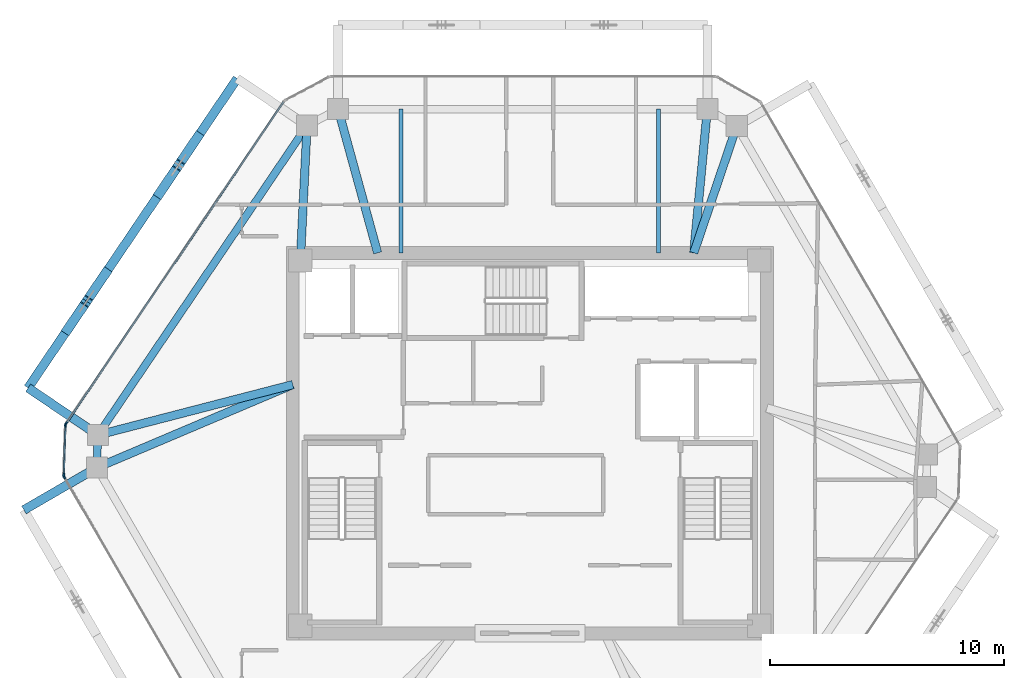
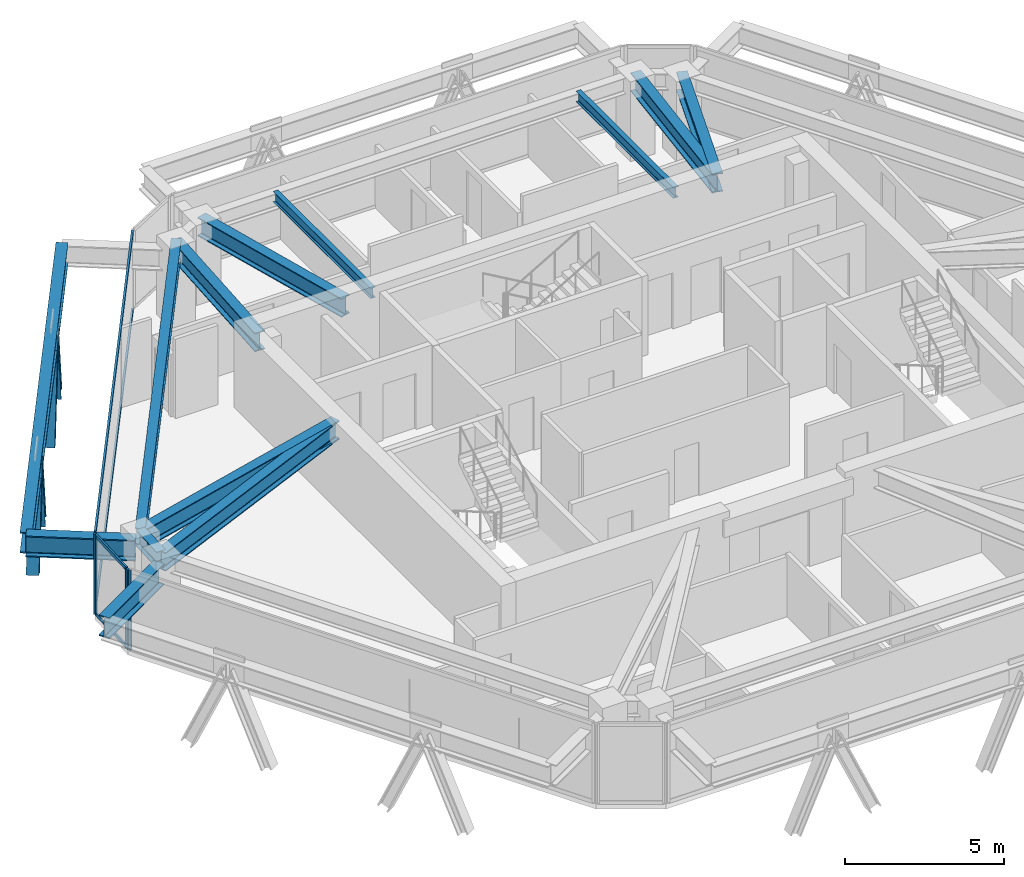
# One storey, part 4 of 13: 13 beams, 12 members, 3 elements without a shape of their own.
"""IFC4 building model written with IfcOpenShell, lengths in metres."""

from ifc_helpers import new_model, si_unit, direction, frame, origin, origin_2d, place, context, subcontext, project, spatial, rectangle, i_section, extrude, source, transform, mapped, material, layer, layer_set, material_profile, profile_set, type_object, type_shapes, element, aggregate, save


model = new_model("IFC4")

# Units and contexts
model_context = context("Model", 3, precision=1e-05, world=origin(), true_north=direction((0.0, 1.0)))
body_context = subcontext(model_context, "Body", "Model", "MODEL_VIEW")
ifc_project = project(units=[si_unit("LENGTHUNIT", "METRE"), si_unit("AREAUNIT", "SQUARE_METRE"), si_unit("VOLUMEUNIT", "CUBIC_METRE"), si_unit("PLANEANGLEUNIT", "RADIAN"), si_unit("MASSUNIT", "GRAM", prefix="KILO")], contexts=[model_context])

# Site, building, storey
site_placement = place(None, origin())
site = spatial("IfcSite", under=ifc_project, at=site_placement, CompositionType="ELEMENT")
building_placement = place(site_placement, origin())
building = spatial("IfcBuilding", under=site, at=building_placement, Name="Durnholm Broadcast Tower", CompositionType="ELEMENT")
storey_placement = place(building_placement, frame((0.0, 0.0, 241.39990234375)))
storey = spatial("IfcBuildingStorey", under=building, at=storey_placement, Name="L67", CompositionType="ELEMENT", Elevation=241.39990234375)

# Beams
ifc_material_1 = material(Name="Steel ASTM A992 Grade 50", Category="steel")
ifc_material_profile_1 = material_profile(ifc_material_1, i_section(OverallWidth=0.385009765625, OverallDepth=0.802978515625, WebThickness=0.023681640625, FlangeThickness=0.0419921875, FilletRadius=0.032958984375, at=origin_2d()), Name="W30X261")
ifc_profile_set_1 = profile_set([ifc_material_profile_1], Name="Steel ASTM A992 Grade 50")
beam_type_1 = type_object("IfcBeamType", Name="BM-EXO-TIE", PredefinedType="USERDEFINED", material=ifc_profile_set_1)
shared_shape_1 = source(origin(), body_context, "Body", "SweptSolid", [
    extrude(i_section(OverallWidth=0.385009765625, OverallDepth=0.802978515625, WebThickness=0.023681640625, FlangeThickness=0.0419921875, FilletRadius=0.032958984375, at=origin_2d()), origin(), (0.0, 0.0, 1.0), 3.4560546875),
])
for number, where, z_axis, x_axis, name in (
    (1, (-18.565673828125, 0.426513671875, 2.30859375), (-0.828413564093, 0.56011692246, 0.0), (-0.56011692246, -0.828413564093, 0.0), "L67 exoskeleton stand-off tie bracket F5.2"),
    (2, (-18.618896484375, -1.1201171875, 2.30859375), (-0.864876013532, -0.501985538852, 0.0), (0.501985538852, -0.864876013532, 0.0), "L67 exoskeleton stand-off tie bracket F6.1"),
):
    element("IfcBeam", number, at=place(storey_placement, frame(where, z_axis=z_axis, x_axis=x_axis)), inside=storey, type_object=beam_type_1, Name=name, ObjectType="GIRDER", PredefinedType="USERDEFINED", context=body_context, shape_type="MappedRepresentation", body=[
        mapped(shared_shape_1, transform((0.0, 0.0, 0.0), x_axis=(1.0, 0.0, 0.0), y_axis=(0.0, 1.0, 0.0), z_axis=(0.0, 0.0, 1.0), scale=1.0)),
    ])
ifc_material_profile_2 = material_profile(ifc_material_1, i_section(OverallWidth=0.3251953125, OverallDepth=0.6162109375, WebThickness=0.013916015625, FlangeThickness=0.021484375, FilletRadius=0.02783203125, at=origin_2d()), Name="W24X117")
ifc_profile_set_2 = profile_set([ifc_material_profile_2], Name="Steel ASTM A992 Grade 50")
beam_type_2 = type_object("IfcBeamType", Name="STL-SP-W24X117", PredefinedType="SPANDREL", material=ifc_profile_set_2)
shared_shape_2 = source(origin(), body_context, "Body", "SweptSolid", [
    extrude(i_section(OverallWidth=0.3251953125, OverallDepth=0.6162109375, WebThickness=0.013916015625, FlangeThickness=0.021484375, FilletRadius=0.02783203125, at=origin_2d()), origin(), (0.0, 0.0, 1.0), 1.39453125),
])
beam_1_placement = place(storey_placement, frame((-18.494384765625, -1.0478515625, 2.737060546875), z_axis=(0.034486393061, 0.999405167434, 0.0), x_axis=(-0.999405167434, 0.034486393061, 0.0)))
element("IfcBeam", 3, at=beam_1_placement, inside=storey, type_object=beam_type_2, Name="L67 perimeter spandrel girder 02", PredefinedType="SPANDREL", context=body_context, shape_type="MappedRepresentation", body=[
    mapped(shared_shape_2, transform((0.0, 0.0, 0.0), x_axis=(1.0, 0.0, 0.0), y_axis=(0.0, 1.0, 0.0), z_axis=(0.0, 0.0, 1.0), scale=1.0)),
])
shared_shape_3 = source(origin(), body_context, "Body", "SweptSolid", [
    extrude(i_section(OverallWidth=0.3251953125, OverallDepth=0.6162109375, WebThickness=0.013916015625, FlangeThickness=0.021484375, FilletRadius=0.02783203125, at=origin_2d()), origin(), (0.0, 0.0, 1.0), 15.947265625),
])
type_shapes(beam_type_2, [shared_shape_2, shared_shape_3])
beam_2_placement = place(storey_placement, frame((-18.4462890625, 0.345947265625, 2.737060546875), z_axis=(0.560062212489, 0.828450552623, 0.0), x_axis=(-0.828450552623, 0.560062212489, 0.0)))
element("IfcBeam", 4, at=beam_2_placement, inside=storey, type_object=beam_type_2, Name="L67 perimeter spandrel girder 03", PredefinedType="SPANDREL", context=body_context, shape_type="MappedRepresentation", body=[
    mapped(shared_shape_3, transform((0.0, 0.0, 0.0), x_axis=(1.0, 0.0, 0.0), y_axis=(0.0, 1.0, 0.0), z_axis=(0.0, 0.0, 1.0), scale=1.0)),
])
ifc_material_profile_3 = material_profile(ifc_material_1, i_section(OverallWidth=0.3564453125, OverallDepth=0.713623046875, WebThickness=0.01904296875, FlangeThickness=0.033935546875, FilletRadius=0.030517578125, at=origin_2d()), Name="W27X194")
ifc_profile_set_3 = profile_set([ifc_material_profile_3], Name="Steel ASTM A992 Grade 50")
beam_type_3 = type_object("IfcBeamType", Name="STL-GR-W27X194", PredefinedType="USERDEFINED", material=ifc_profile_set_3)
shared_shape_4 = source(origin(), body_context, "Body", "SweptSolid", [
    extrude(i_section(OverallWidth=0.3564453125, OverallDepth=0.713623046875, WebThickness=0.01904296875, FlangeThickness=0.033935546875, FilletRadius=0.030517578125, at=origin_2d()), origin(), (0.0, 0.0, 1.0), 5.764404296875),
])
beam_3_placement = place(storey_placement, frame((-9.800048828125, 7.800048828125, 2.688232421875), z_axis=(0.049468662109, 0.99877567625, 0.0), x_axis=(-0.99877567625, 0.049468662109, 0.0)))
element("IfcBeam", 5, at=beam_3_placement, inside=storey, type_object=beam_type_3, Name="L67 radial primary floor girder 04", ObjectType="GIRDER", PredefinedType="USERDEFINED", context=body_context, shape_type="MappedRepresentation", body=[
    mapped(shared_shape_4, transform((0.0, 0.0, 0.0), x_axis=(1.0, 0.0, 0.0), y_axis=(0.0, 1.0, 0.0), z_axis=(0.0, 0.0, 1.0), scale=1.0)),
])
shared_shape_5 = source(origin(), body_context, "Body", "SweptSolid", [
    extrude(i_section(OverallWidth=0.385009765625, OverallDepth=0.802978515625, WebThickness=0.023681640625, FlangeThickness=0.0419921875, FilletRadius=0.032958984375, at=origin_2d()), origin(), (0.0, 0.0, 1.0), 15.947021484375),
])
type_shapes(beam_type_1, [shared_shape_1, shared_shape_5])
beam_4_placement = place(storey_placement, frame((-12.497314453125, 15.573486328125, 2.30859375), z_axis=(-0.560069315853, -0.828445750451, 0.0), x_axis=(0.828445750451, -0.560069315853, 0.0)))
element("IfcBeam", 6, at=beam_4_placement, inside=storey, type_object=beam_type_1, Name="L67 exoskeleton collector spandrel F5", PredefinedType="SPANDREL", context=body_context, shape_type="MappedRepresentation", body=[
    mapped(shared_shape_5, transform((0.0, 0.0, 0.0), x_axis=(1.0, 0.0, 0.0), y_axis=(0.0, 1.0, 0.0), z_axis=(0.0, 0.0, 1.0), scale=1.0)),
])
shared_shape_6 = source(origin(), body_context, "Body", "SweptSolid", [
    extrude(i_section(OverallWidth=0.3564453125, OverallDepth=0.713623046875, WebThickness=0.01904296875, FlangeThickness=0.033935546875, FilletRadius=0.030517578125, at=origin_2d()), origin(), (0.0, 0.0, 1.0), 9.09033203125),
])
beam_5_placement = place(storey_placement, frame((-10.125, 2.5, 2.688232421875), z_axis=(-0.920692350722, -0.390289117607, 0.0), x_axis=(0.390289117607, -0.920692350722, 0.0)))
element("IfcBeam", 7, at=beam_5_placement, inside=storey, type_object=beam_type_3, Name="L67 radial primary floor girder 02", ObjectType="GIRDER", PredefinedType="USERDEFINED", context=body_context, shape_type="MappedRepresentation", body=[
    mapped(shared_shape_6, transform((0.0, 0.0, 0.0), x_axis=(1.0, 0.0, 0.0), y_axis=(0.0, 1.0, 0.0), z_axis=(0.0, 0.0, 1.0), scale=1.0)),
])
shared_shape_7 = source(origin(), body_context, "Body", "SweptSolid", [
    extrude(i_section(OverallWidth=0.3564453125, OverallDepth=0.713623046875, WebThickness=0.01904296875, FlangeThickness=0.033935546875, FilletRadius=0.030517578125, at=origin_2d()), origin(), (0.0, 0.0, 1.0), 8.595458984375),
])
beam_6_placement = place(storey_placement, frame((-10.125, 2.5, 2.688232421875), z_axis=(-0.968090619149, -0.250600385306, 0.0), x_axis=(0.250600385306, -0.968090619149, 0.0)))
element("IfcBeam", 8, at=beam_6_placement, inside=storey, type_object=beam_type_3, Name="L67 radial primary floor girder 03", ObjectType="GIRDER", PredefinedType="USERDEFINED", context=body_context, shape_type="MappedRepresentation", body=[
    mapped(shared_shape_7, transform((0.0, 0.0, 0.0), x_axis=(1.0, 0.0, 0.0), y_axis=(0.0, 1.0, 0.0), z_axis=(0.0, 0.0, 1.0), scale=1.0)),
])
shared_shape_8 = source(origin(), body_context, "Body", "SweptSolid", [
    extrude(i_section(OverallWidth=0.3564453125, OverallDepth=0.713623046875, WebThickness=0.01904296875, FlangeThickness=0.033935546875, FilletRadius=0.030517578125, at=origin_2d()), origin(), (0.0, 0.0, 1.0), 6.36474609375),
])
beam_7_placement = place(storey_placement, frame((-6.5, 8.125, 2.688232421875), z_axis=(-0.265168072834, 0.96420220553, 0.0), x_axis=(-0.96420220553, -0.265168072834, 0.0)))
element("IfcBeam", 9, at=beam_7_placement, inside=storey, type_object=beam_type_3, Name="L67 radial primary floor girder 05", ObjectType="GIRDER", PredefinedType="USERDEFINED", context=body_context, shape_type="MappedRepresentation", body=[
    mapped(shared_shape_8, transform((0.0, 0.0, 0.0), x_axis=(1.0, 0.0, 0.0), y_axis=(0.0, 1.0, 0.0), z_axis=(0.0, 0.0, 1.0), scale=1.0)),
])
shared_shape_9 = source(origin(), body_context, "Body", "SweptSolid", [
    extrude(i_section(OverallWidth=0.3564453125, OverallDepth=0.713623046875, WebThickness=0.01904296875, FlangeThickness=0.033935546875, FilletRadius=0.030517578125, at=origin_2d()), origin(), (0.0, 0.0, 1.0), 6.164306640625),
])
beam_8_placement = place(storey_placement, frame((7.0, 8.125, 2.688232421875), z_axis=(0.094024068139, 0.995569924521, 0.0), x_axis=(-0.995569924521, 0.094024068139, 0.0)))
element("IfcBeam", 10, at=beam_8_placement, inside=storey, type_object=beam_type_3, Name="L67 radial primary floor girder 06", ObjectType="GIRDER", PredefinedType="USERDEFINED", context=body_context, shape_type="MappedRepresentation", body=[
    mapped(shared_shape_9, transform((0.0, 0.0, 0.0), x_axis=(1.0, 0.0, 0.0), y_axis=(0.0, 1.0, 0.0), z_axis=(0.0, 0.0, 1.0), scale=1.0)),
])
shared_shape_10 = source(origin(), body_context, "Body", "SweptSolid", [
    extrude(i_section(OverallWidth=0.3564453125, OverallDepth=0.713623046875, WebThickness=0.01904296875, FlangeThickness=0.033935546875, FilletRadius=0.030517578125, at=origin_2d()), origin(), (0.0, 0.0, 1.0), 5.716064453125),
])
type_shapes(beam_type_3, [shared_shape_4, shared_shape_6, shared_shape_7, shared_shape_8, shared_shape_9, shared_shape_10])
beam_9_placement = place(storey_placement, frame((7.0, 8.125, 2.688232421875), z_axis=(0.321450919754, 0.946926241156, 0.0), x_axis=(-0.946926241156, 0.321450919754, 0.0)))
element("IfcBeam", 11, at=beam_9_placement, inside=storey, type_object=beam_type_3, Name="L67 radial primary floor girder 07", ObjectType="GIRDER", PredefinedType="USERDEFINED", context=body_context, shape_type="MappedRepresentation", body=[
    mapped(shared_shape_10, transform((0.0, 0.0, 0.0), x_axis=(1.0, 0.0, 0.0), y_axis=(0.0, 1.0, 0.0), z_axis=(0.0, 0.0, 1.0), scale=1.0)),
])
ifc_material_profile_4 = material_profile(ifc_material_1, i_section(OverallWidth=0.177734375, OverallDepth=0.40673828125, WebThickness=0.0078125, FlangeThickness=0.0126953125, FilletRadius=0.01904296875, at=origin_2d()), Name="W16X40")
ifc_profile_set_4 = profile_set([ifc_material_profile_4], Name="Steel ASTM A992 Grade 50")
beam_type_4 = type_object("IfcBeamType", Name="STL-BJ-W16X40", PredefinedType="JOIST", material=ifc_profile_set_4)
shared_shape_11 = source(origin(), body_context, "Body", "SweptSolid", [
    extrude(i_section(OverallWidth=0.177734375, OverallDepth=0.40673828125, WebThickness=0.0078125, FlangeThickness=0.0126953125, FilletRadius=0.01904296875, at=origin_2d()), origin(), (0.0, 0.0, 1.0), 6.136962890625),
])
type_shapes(beam_type_4, [shared_shape_11])
for number, where, z_axis, x_axis, name in (
    (12, (-5.5, 8.125, 2.841796875), (0.0, 1.0, 0.0), (-1.0, 0.0, 0.0), "L67 secondary floor joist 3.2"),
    (13, (5.5, 8.125, 2.841796875), (0.0, 1.0, 0.0), (-1.0, 0.0, 0.0), "L67 secondary floor joist 4.2"),
):
    element("IfcBeam", number, at=place(storey_placement, frame(where, z_axis=z_axis, x_axis=x_axis)), inside=storey, type_object=beam_type_4, Name=name, PredefinedType="JOIST", context=body_context, shape_type="MappedRepresentation", body=[
        mapped(shared_shape_11, transform((0.0, 0.0, 0.0), x_axis=(1.0, 0.0, 0.0), y_axis=(0.0, 1.0, 0.0), z_axis=(0.0, 0.0, 1.0), scale=1.0)),
    ])

# Members
ifc_material_2 = material(Name="Steel ASTM A913 Grade 65", Category="steel")
ifc_material_profile_5 = material_profile(ifc_material_2, i_section(OverallWidth=0.40625, OverallDepth=0.416015625, WebThickness=0.02978515625, FlangeThickness=0.048095703125, FilletRadius=0.030517578125, at=origin_2d()), Name="W14X257")
ifc_profile_set_5 = profile_set([ifc_material_profile_5], Name="Steel ASTM A913 Grade 65")
member_type_1 = type_object("IfcMemberType", Name="STL-DG-W14X257", PredefinedType="BRACE", material=ifc_profile_set_5)
shared_shape_12 = source(origin(), body_context, "Body", "SweptSolid", [
    extrude(i_section(OverallWidth=0.40625, OverallDepth=0.416015625, WebThickness=0.02978515625, FlangeThickness=0.048095703125, FilletRadius=0.030517578125, at=origin_2d()), origin(), (0.0, 0.0, 1.0), 3.60791015625),
])
type_shapes(member_type_1, [shared_shape_12])
for number, where, z_axis, x_axis, name in (
    (14, (-14.181396484375, 13.08251953125, -0.991455078125), (-0.226349134478, -0.334888450383, 0.914667040579), (0.828505003222, -0.559981660089, 0.0), "L67 stand-off diagrid brace F5.D1.1"),
    (15, (-15.814697265625, 10.666259765625, -0.991455078125), (0.226354263477, 0.334828369412, 0.914687766641), (-0.828452496411, 0.560059337206, 0.0), "L67 stand-off diagrid brace F5.D1.2"),
    (16, (-18.111328125, 7.269287109375, -0.991455078125), (-0.226354263477, -0.334828369412, 0.914687766641), (0.828452496411, -0.560059337206, 0.0), "L67 stand-off diagrid brace F5.D2.1"),
    (17, (-19.74462890625, 4.853271484375, -0.991455078125), (0.226354263477, 0.334828369412, 0.914687766641), (-0.828452496411, 0.560059337206, 0.0), "L67 stand-off diagrid brace F5.D2.2"),
):
    element("IfcMember", number, at=place(storey_placement, frame(where, z_axis=z_axis, x_axis=x_axis)), inside=storey, type_object=member_type_1, Name=name, PredefinedType="BRACE", context=body_context, shape_type="MappedRepresentation", body=[
        mapped(shared_shape_12, transform((0.0, 0.0, 0.0), x_axis=(1.0, 0.0, 0.0), y_axis=(0.0, 1.0, 0.0), z_axis=(0.0, 0.0, 1.0), scale=1.0)),
    ])

# Curtain wall, members
ifc_material_3 = material(Name="Aluminium and Solar Control IGU", Category="aluminium")
ifc_layer_1 = layer(ifc_material_3, 0.1650390625)
ifc_layer_set_1 = layer_set([ifc_layer_1], Name="Aluminium and Solar Control IGU")
curtain_wall_type_1 = type_object("IfcCurtainWallType", Name="CW-SYS-5", PredefinedType="NOTDEFINED", material=ifc_layer_set_1)
curtain_wall_1_placement = place(storey_placement, origin())
curtain_wall_1 = element("IfcCurtainWall", 18, at=curtain_wall_1_placement, inside=storey, type_object=curtain_wall_type_1, Name="L67 curtain wall CW-CORNER CW-L67-CRN-01", PredefinedType="NOTDEFINED")
ifc_material_4 = material(Name="Aluminium 6063-T6", Category="aluminium")
ifc_material_profile_6 = material_profile(ifc_material_4, rectangle(XDim=0.06494140625, YDim=0.1298828125, at=origin_2d()), Name="CWT65X130")
ifc_profile_set_6 = profile_set([ifc_material_profile_6], Name="Aluminium 6063-T6")
member_type_2 = type_object("IfcMemberType", Name="CW-SYS-5-TRN", PredefinedType="USERDEFINED", material=ifc_profile_set_6)
shared_shape_13 = source(origin(), body_context, "Body", "SweptSolid", [
    extrude(rectangle(XDim=0.06494140625, YDim=0.1298828125, at=origin_2d()), origin(), (0.0, 0.0, 1.0), 2.070068359375),
])
type_shapes(member_type_2, [shared_shape_13])
member_1_placement = place(storey_placement, frame((-19.905029296875, -1.33740234375, 0.03271484375), z_axis=(0.034320104965, 0.999410891673, 0.0), x_axis=(-0.999410891673, 0.034320104965, 0.0)))
member_1 = element("IfcMember", 19, at=member_1_placement, type_object=member_type_2, Name="CW-CORNER transom 1.1", ObjectType="TRANSOM", PredefinedType="USERDEFINED", context=body_context, shape_type="MappedRepresentation", body=[
    mapped(shared_shape_13, transform((0.0, 0.0, 0.0), x_axis=(1.0, 0.0, 0.0), y_axis=(0.0, 1.0, 0.0), z_axis=(0.0, 0.0, 1.0), scale=1.0)),
])
member_2_placement = place(storey_placement, frame((-19.905029296875, -1.33740234375, 3.027587890625), z_axis=(0.034320104965, 0.999410891673, 0.0), x_axis=(-0.999410891673, 0.034320104965, 0.0)))
member_2 = element("IfcMember", 20, at=member_2_placement, type_object=member_type_2, Name="CW-CORNER transom 1.2", ObjectType="TRANSOM", PredefinedType="USERDEFINED", context=body_context, shape_type="MappedRepresentation", body=[
    mapped(shared_shape_13, transform((0.0, 0.0, 0.0), x_axis=(1.0, 0.0, 0.0), y_axis=(0.0, 1.0, 0.0), z_axis=(0.0, 0.0, 1.0), scale=1.0)),
])
ifc_material_profile_7 = material_profile(ifc_material_4, rectangle(XDim=0.06494140625, YDim=0.1650390625, at=origin_2d()), Name="CWM65X165")
ifc_profile_set_7 = profile_set([ifc_material_profile_7], Name="Aluminium 6063-T6")
member_type_3 = type_object("IfcMemberType", Name="CW-SYS-5-MUL", PredefinedType="MULLION", material=ifc_profile_set_7)
shared_shape_14 = source(origin(), body_context, "Body", "SweptSolid", [
    extrude(rectangle(XDim=0.06494140625, YDim=0.1650390625, at=origin_2d()), origin(), (0.0, 0.0, 1.0), 3.06005859375),
])
type_shapes(member_type_3, [shared_shape_14])
member_3_placement = place(storey_placement, frame((-19.90625, -1.369873046875, 0.0), z_axis=(0.0, 0.0, 1.0), x_axis=(-0.999410955514, 0.034318245849, 0.0)))
member_3 = element("IfcMember", 21, at=member_3_placement, type_object=member_type_3, Name="CW-CORNER mullion 1", PredefinedType="MULLION", context=body_context, shape_type="MappedRepresentation", body=[
    mapped(shared_shape_14, transform((0.0, 0.0, 0.0), x_axis=(1.0, 0.0, 0.0), y_axis=(0.0, 1.0, 0.0), z_axis=(0.0, 0.0, 1.0), scale=1.0)),
])
member_4_placement = place(storey_placement, frame((-19.8330078125, 0.763916015625, 0.0), z_axis=(0.0, 0.0, 1.0), x_axis=(-0.999410955514, 0.034318245849, 0.0)))
member_4 = element("IfcMember", 22, at=member_4_placement, type_object=member_type_3, Name="CW-CORNER mullion 2", PredefinedType="MULLION", context=body_context, shape_type="MappedRepresentation", body=[
    mapped(shared_shape_14, transform((0.0, 0.0, 0.0), x_axis=(1.0, 0.0, 0.0), y_axis=(0.0, 1.0, 0.0), z_axis=(0.0, 0.0, 1.0), scale=1.0)),
])
aggregate(curtain_wall_1, [member_3, member_4, member_1, member_2])

# Curtain wall, member
ifc_layer_2 = layer(ifc_material_3, 0.18994140625)
ifc_layer_set_2 = layer_set([ifc_layer_2], Name="Aluminium and Solar Control IGU")
curtain_wall_type_2 = type_object("IfcCurtainWallType", Name="CW-SYS-4", PredefinedType="NOTDEFINED", material=ifc_layer_set_2)
curtain_wall_2_placement = place(storey_placement, origin())
curtain_wall_2 = element("IfcCurtainWall", 23, at=curtain_wall_2_placement, inside=storey, type_object=curtain_wall_type_2, Name="L67 curtain wall CW-Z34-VIS CW-L67-F02", PredefinedType="NOTDEFINED")
ifc_material_profile_8 = material_profile(ifc_material_4, rectangle(XDim=0.070068359375, YDim=0.18994140625, at=origin_2d()), Name="CWM70X190")
ifc_profile_set_8 = profile_set([ifc_material_profile_8], Name="Aluminium 6063-T6")
member_type_4 = type_object("IfcMemberType", Name="CW-SYS-4-MUL", PredefinedType="MULLION", material=ifc_profile_set_8)
shared_shape_15 = source(origin(), body_context, "Body", "SweptSolid", [
    extrude(rectangle(XDim=0.070068359375, YDim=0.18994140625, at=origin_2d()), origin(), (0.0, 0.0, 1.0), 3.06005859375),
])
type_shapes(member_type_4, [shared_shape_15])
member_5_placement = place(storey_placement, frame((-19.812255859375, 0.825439453125, 0.0), z_axis=(0.0, 0.0, 1.0), x_axis=(-0.828443431662, 0.560072745753, 0.0)))
member_5 = element("IfcMember", 24, at=member_5_placement, type_object=member_type_4, Name="CW-Z34-VIS mullion 1", PredefinedType="MULLION", context=body_context, shape_type="MappedRepresentation", body=[
    mapped(shared_shape_15, transform((0.0, 0.0, 0.0), x_axis=(1.0, 0.0, 0.0), y_axis=(0.0, 1.0, 0.0), z_axis=(0.0, 0.0, 1.0), scale=1.0)),
])

curtain_wall_3_placement = place(storey_placement, origin())
curtain_wall_3 = element("IfcCurtainWall", 25, at=curtain_wall_3_placement, inside=storey, type_object=curtain_wall_type_2, Name="L67 curtain wall CW-Z34-VIS CW-L67-F12", PredefinedType="NOTDEFINED")
member_6_placement = place(storey_placement, frame((-19.8896484375, -1.4326171875, 0.0), z_axis=(0.0, 0.0, 1.0), x_axis=(-0.864899883824, -0.50194441023, 0.0)))
member_6 = element("IfcMember", 26, at=member_6_placement, type_object=member_type_4, Name="CW-Z34-VIS mullion 2", PredefinedType="MULLION", context=body_context, shape_type="MappedRepresentation", body=[
    mapped(shared_shape_15, transform((0.0, 0.0, 0.0), x_axis=(1.0, 0.0, 0.0), y_axis=(0.0, 1.0, 0.0), z_axis=(0.0, 0.0, 1.0), scale=1.0)),
])
aggregate(curtain_wall_3, [member_6])

# Member
ifc_material_profile_9 = material_profile(ifc_material_4, rectangle(XDim=0.070068359375, YDim=0.14990234375, at=origin_2d()), Name="CWT70X150")
ifc_profile_set_9 = profile_set([ifc_material_profile_9], Name="Aluminium 6063-T6")
member_type_5 = type_object("IfcMemberType", Name="CW-SYS-4-TRN", PredefinedType="USERDEFINED", material=ifc_profile_set_9)
shared_shape_16 = source(origin(), body_context, "Body", "SweptSolid", [
    extrude(rectangle(XDim=0.070068359375, YDim=0.14990234375, at=origin_2d()), origin(), (0.0, 0.0, 1.0), 16.55859375),
])
type_shapes(member_type_5, [shared_shape_16])
member_7_placement = place(storey_placement, frame((-19.79248046875, 0.8544921875, 0.03515625), z_axis=(0.560071338091, 0.828444383317, 0.0), x_axis=(-0.828444383317, 0.560071338091, 0.0)))
member_7 = element("IfcMember", 27, at=member_7_placement, type_object=member_type_5, Name="CW-Z34-VIS transom 1.1", ObjectType="TRANSOM", PredefinedType="USERDEFINED", context=body_context, shape_type="MappedRepresentation", body=[
    mapped(shared_shape_16, transform((0.0, 0.0, 0.0), x_axis=(1.0, 0.0, 0.0), y_axis=(0.0, 1.0, 0.0), z_axis=(0.0, 0.0, 1.0), scale=1.0)),
])

member_8_placement = place(storey_placement, frame((-19.79248046875, 0.8544921875, 3.025146484375), z_axis=(0.560071338091, 0.828444383317, 0.0), x_axis=(-0.828444383317, 0.560071338091, 0.0)))
member_8 = element("IfcMember", 28, at=member_8_placement, type_object=member_type_5, Name="CW-Z34-VIS transom 1.2", ObjectType="TRANSOM", PredefinedType="USERDEFINED", context=body_context, shape_type="MappedRepresentation", body=[
    mapped(shared_shape_16, transform((0.0, 0.0, 0.0), x_axis=(1.0, 0.0, 0.0), y_axis=(0.0, 1.0, 0.0), z_axis=(0.0, 0.0, 1.0), scale=1.0)),
])

aggregate(curtain_wall_2, [member_5, member_7, member_8])

save(model, "model.ifc")
